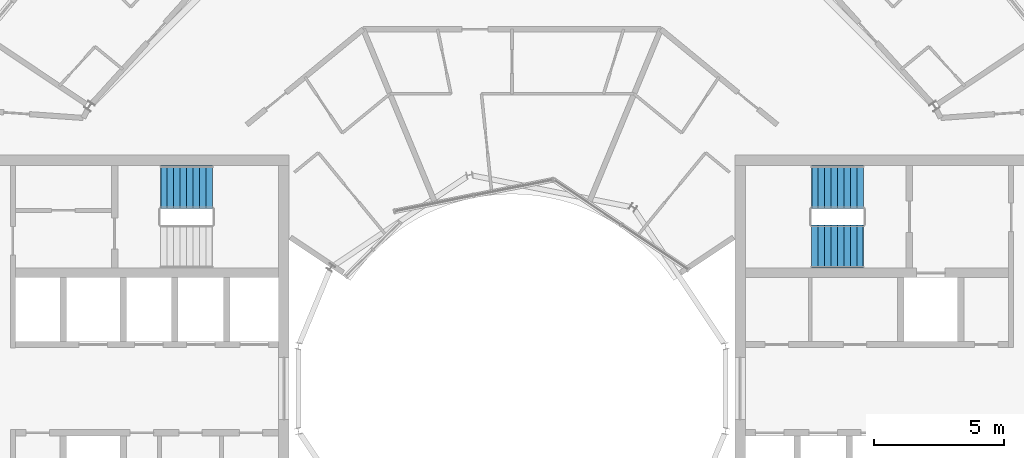
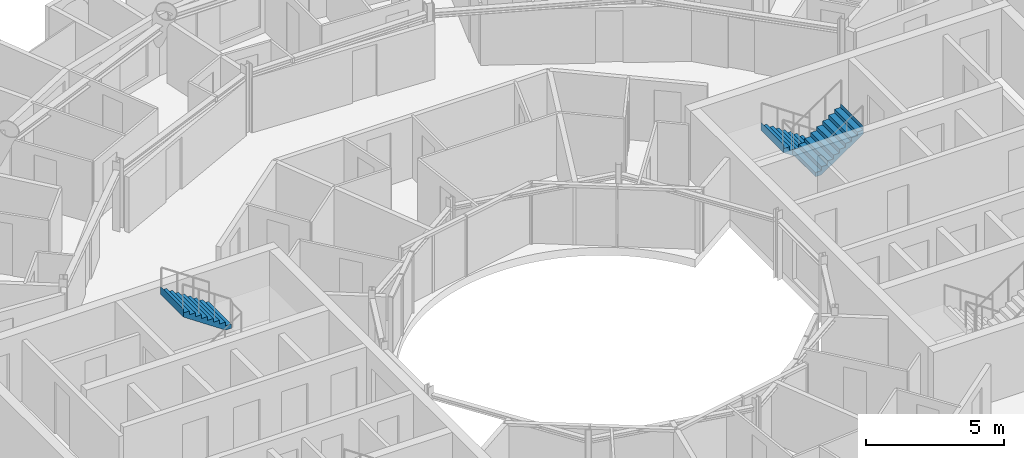
# One storey, part 25 of 27: 3 stair flights, 2 elements without a shape of their own.
"""IFC4 building model written with IfcOpenShell, lengths in metres."""

from ifc_helpers import new_model, si_unit, direction, frame, origin, place, context, subcontext, project, spatial, triangles, material, type_object, element, aggregate, save


model = new_model("IFC4")

# Units and contexts
model_context = context("Model", 3, precision=1e-05, world=origin(), true_north=direction((0.0, 1.0)))
body_context = subcontext(model_context, "Body", "Model", "MODEL_VIEW")
ifc_project = project(units=[si_unit("LENGTHUNIT", "METRE"), si_unit("AREAUNIT", "SQUARE_METRE"), si_unit("VOLUMEUNIT", "CUBIC_METRE"), si_unit("PLANEANGLEUNIT", "RADIAN"), si_unit("MASSUNIT", "GRAM", prefix="KILO")], contexts=[model_context])

# Site, building, storey
site_placement = place(None, origin())
site = spatial("IfcSite", under=ifc_project, at=site_placement, CompositionType="ELEMENT")
building_placement = place(site_placement, origin())
building = spatial("IfcBuilding", under=site, at=building_placement, Name="Maasbend Ring Residences", CompositionType="ELEMENT")
storey_placement = place(building_placement, frame((0.0, 0.0, 243.199951171875)))
storey = spatial("IfcBuildingStorey", under=building, at=storey_placement, Name="L70", CompositionType="ELEMENT", Elevation=243.199951171875)

# Stair, stair flights
ifc_material_1 = material(Name="Concrete C40/50", Category="concrete")
stair_type = type_object("IfcStairType", Name="CORE STAIR 18 RISERS", PredefinedType="HALF_TURN_STAIR", material=ifc_material_1)
stair_1_placement = place(storey_placement, origin())
stair_1 = element("IfcStair", 1, at=stair_1_placement, inside=storey, type_object=stair_type, Name="L70 Exit stair ST-E1", PredefinedType="HALF_TURN_STAIR")
ifc_material_2 = material(Name="Concrete C40/50", Category="concrete")
stair_flight_type = type_object("IfcStairFlightType", Name="CORE STAIR FLIGHT 1650", PredefinedType="STRAIGHT", material=ifc_material_2)
stair_flight_1_placement = place(storey_placement, frame((13.550048828125, 7.77490234375, 0.0), z_axis=(0.0, 0.0, 1.0), x_axis=(-1.0, 0.0, 0.0)))
stair_flight_1 = element("IfcStairFlight", 2, at=stair_flight_1_placement, type_object=stair_flight_type, Name="ST-E1 flight 1", NumberOfRisers=9, NumberOfTreads=8, PredefinedType="STRAIGHT", RiserHeight=0.169444444, TreadLength=0.25, context=body_context, shape_type="Tessellation", body=[
    triangles([(0.24072265625, 0.824951171875, -0.02001953125), (2.0029296875, 0.824951171875, 1.174560546875), (2.0029296875, 0.824951171875, 1.52490234375), (1.989990234375, 0.824951171875, 1.35546875), (1.75, 0.824951171875, 1.35546875), (1.75, 0.824951171875, 1.18603515625), (1.5, 0.824951171875, 1.18603515625), (1.5, 0.824951171875, 1.0166015625), (1.25, 0.824951171875, 1.0166015625), (1.25, 0.824951171875, 0.84716796875), (1.0, 0.824951171875, 0.84716796875), (1.0, 0.824951171875, 0.677734375), (0.75, 0.824951171875, 0.677734375), (0.75, 0.824951171875, 0.50830078125), (0.5, 0.824951171875, 0.50830078125), (0.5, 0.824951171875, 0.3388671875), (0.25, 0.824951171875, 0.3388671875), (0.25, 0.824951171875, 0.16943359375), (0.0, 0.824951171875, 0.16943359375), (0.0, 0.824951171875, 0.0), (-0.0029296875, 0.824951171875, 0.0), (-0.0029296875, 0.824951171875, -0.02001953125), (0.24072265625, 0.27490234375, -0.02001953125), (2.0029296875, 0.27490234375, 1.174560546875), (2.0029296875, 0.27490234375, 1.52490234375), (1.989990234375, 0.27490234375, 1.35546875), (1.75, 0.27490234375, 1.35546875), (1.75, 0.27490234375, 1.18603515625), (1.5, 0.27490234375, 1.18603515625), (1.5, 0.27490234375, 1.0166015625), (1.25, 0.27490234375, 1.0166015625), (1.25, 0.27490234375, 0.84716796875), (1.0, 0.27490234375, 0.84716796875), (1.0, 0.27490234375, 0.677734375), (0.75, 0.27490234375, 0.677734375), (0.75, 0.27490234375, 0.50830078125), (0.5, 0.27490234375, 0.50830078125), (0.5, 0.27490234375, 0.3388671875), (0.25, 0.27490234375, 0.3388671875), (0.25, 0.27490234375, 0.16943359375), (0.0, 0.27490234375, 0.16943359375), (0.0, 0.27490234375, 0.0), (-0.0029296875, 0.27490234375, 0.0), (-0.0029296875, 0.27490234375, -0.02001953125), (0.24072265625, -0.27490234375, -0.02001953125), (2.0029296875, -0.27490234375, 1.174560546875), (2.0029296875, -0.27490234375, 1.52490234375), (1.989990234375, -0.27490234375, 1.35546875), (1.75, -0.27490234375, 1.35546875), (1.75, -0.27490234375, 1.18603515625), (1.5, -0.27490234375, 1.18603515625), (1.5, -0.27490234375, 1.0166015625), (1.25, -0.27490234375, 1.0166015625), (1.25, -0.27490234375, 0.84716796875), (1.0, -0.27490234375, 0.84716796875), (1.0, -0.27490234375, 0.677734375), (0.75, -0.27490234375, 0.677734375), (0.75, -0.27490234375, 0.50830078125), (0.5, -0.27490234375, 0.50830078125), (0.5, -0.27490234375, 0.3388671875), (0.25, -0.27490234375, 0.3388671875), (0.25, -0.27490234375, 0.16943359375), (0.0, -0.27490234375, 0.16943359375), (0.0, -0.27490234375, 0.0), (-0.0029296875, -0.27490234375, 0.0), (-0.0029296875, -0.27490234375, -0.02001953125), (0.24072265625, -0.824951171875, -0.02001953125), (2.0029296875, -0.824951171875, 1.174560546875), (2.0029296875, -0.824951171875, 1.52490234375), (1.989990234375, -0.824951171875, 1.35546875), (1.75, -0.824951171875, 1.35546875), (1.75, -0.824951171875, 1.18603515625), (1.5, -0.824951171875, 1.18603515625), (1.5, -0.824951171875, 1.0166015625), (1.25, -0.824951171875, 1.0166015625), (1.25, -0.824951171875, 0.84716796875), (1.0, -0.824951171875, 0.84716796875), (1.0, -0.824951171875, 0.677734375), (0.75, -0.824951171875, 0.677734375), (0.75, -0.824951171875, 0.50830078125), (0.5, -0.824951171875, 0.50830078125), (0.5, -0.824951171875, 0.3388671875), (0.25, -0.824951171875, 0.3388671875), (0.25, -0.824951171875, 0.16943359375), (0.0, -0.824951171875, 0.16943359375), (0.0, -0.824951171875, 0.0), (-0.0029296875, -0.824951171875, 0.0), (-0.0029296875, -0.824951171875, -0.02001953125)], [[1, 2, 24], [1, 24, 23], [23, 24, 46], [23, 46, 45], [45, 46, 68], [45, 68, 67], [2, 3, 25], [2, 25, 24], [24, 25, 47], [24, 47, 46], [46, 47, 69], [46, 69, 68], [3, 4, 26], [3, 26, 25], [25, 26, 48], [25, 48, 47], [47, 48, 70], [47, 70, 69], [4, 5, 27], [4, 27, 26], [26, 27, 49], [26, 49, 48], [48, 49, 71], [48, 71, 70], [5, 6, 28], [5, 28, 27], [27, 28, 50], [27, 50, 49], [49, 50, 72], [49, 72, 71], [6, 7, 29], [6, 29, 28], [28, 29, 51], [28, 51, 50], [50, 51, 73], [50, 73, 72], [7, 8, 30], [7, 30, 29], [29, 30, 52], [29, 52, 51], [51, 52, 74], [51, 74, 73], [8, 9, 31], [8, 31, 30], [30, 31, 53], [30, 53, 52], [52, 53, 75], [52, 75, 74], [9, 10, 32], [9, 32, 31], [31, 32, 54], [31, 54, 53], [53, 54, 76], [53, 76, 75], [10, 11, 33], [10, 33, 32], [32, 33, 55], [32, 55, 54], [54, 55, 77], [54, 77, 76], [11, 12, 34], [11, 34, 33], [33, 34, 56], [33, 56, 55], [55, 56, 78], [55, 78, 77], [12, 13, 35], [12, 35, 34], [34, 35, 57], [34, 57, 56], [56, 57, 79], [56, 79, 78], [13, 14, 36], [13, 36, 35], [35, 36, 58], [35, 58, 57], [57, 58, 80], [57, 80, 79], [14, 15, 37], [14, 37, 36], [36, 37, 59], [36, 59, 58], [58, 59, 81], [58, 81, 80], [15, 16, 38], [15, 38, 37], [37, 38, 60], [37, 60, 59], [59, 60, 82], [59, 82, 81], [16, 17, 39], [16, 39, 38], [38, 39, 61], [38, 61, 60], [60, 61, 83], [60, 83, 82], [17, 18, 40], [17, 40, 39], [39, 40, 62], [39, 62, 61], [61, 62, 84], [61, 84, 83], [18, 19, 41], [18, 41, 40], [40, 41, 63], [40, 63, 62], [62, 63, 85], [62, 85, 84], [19, 20, 42], [19, 42, 41], [41, 42, 64], [41, 64, 63], [63, 64, 86], [63, 86, 85], [20, 21, 43], [20, 43, 42], [42, 43, 65], [42, 65, 64], [64, 65, 87], [64, 87, 86], [21, 22, 44], [21, 44, 43], [43, 44, 66], [43, 66, 65], [65, 66, 88], [65, 88, 87], [22, 1, 23], [22, 23, 44], [44, 23, 45], [44, 45, 66], [66, 45, 67], [66, 67, 88], [22, 2, 1], [2, 4, 3], [2, 5, 4], [2, 6, 5], [22, 6, 2], [6, 8, 7], [22, 8, 6], [8, 10, 9], [22, 10, 8], [10, 12, 11], [22, 12, 10], [12, 14, 13], [22, 14, 12], [14, 16, 15], [22, 16, 14], [16, 18, 17], [22, 18, 16], [18, 20, 19], [22, 20, 18], [20, 22, 21], [88, 67, 68], [68, 69, 70], [68, 70, 71], [68, 71, 72], [88, 68, 72], [72, 73, 74], [88, 72, 74], [74, 75, 76], [88, 74, 76], [76, 77, 78], [88, 76, 78], [78, 79, 80], [88, 78, 80], [80, 81, 82], [88, 80, 82], [82, 83, 84], [88, 82, 84], [84, 85, 86], [88, 84, 86], [86, 87, 88]], closed=True),
])
stair_flight_2_placement = place(storey_placement, frame((11.550048828125, 5.47509765625, 1.525146484375), z_axis=(0.0, 0.0, 1.0), x_axis=(1.0, 0.0, 0.0)))
stair_flight_2 = element("IfcStairFlight", 3, at=stair_flight_2_placement, type_object=stair_flight_type, Name="ST-E1 flight 2", NumberOfRisers=9, NumberOfTreads=8, PredefinedType="STRAIGHT", RiserHeight=0.169444444, TreadLength=0.25, context=body_context, shape_type="Tessellation", body=[
    triangles([(0.24072265625, 0.824951171875, -0.02001953125), (2.0029296875, 0.824951171875, 1.174560546875), (2.0029296875, 0.824951171875, 1.52490234375), (1.989990234375, 0.824951171875, 1.35546875), (1.75, 0.824951171875, 1.35546875), (1.75, 0.824951171875, 1.18603515625), (1.5, 0.824951171875, 1.18603515625), (1.5, 0.824951171875, 1.0166015625), (1.25, 0.824951171875, 1.0166015625), (1.25, 0.824951171875, 0.84716796875), (1.0, 0.824951171875, 0.84716796875), (1.0, 0.824951171875, 0.677734375), (0.75, 0.824951171875, 0.677734375), (0.75, 0.824951171875, 0.50830078125), (0.5, 0.824951171875, 0.50830078125), (0.5, 0.824951171875, 0.3388671875), (0.25, 0.824951171875, 0.3388671875), (0.25, 0.824951171875, 0.16943359375), (0.0, 0.824951171875, 0.16943359375), (0.0, 0.824951171875, 0.0), (-0.0029296875, 0.824951171875, 0.0), (-0.0029296875, 0.824951171875, -0.02001953125), (0.24072265625, 0.27490234375, -0.02001953125), (2.0029296875, 0.27490234375, 1.174560546875), (2.0029296875, 0.27490234375, 1.52490234375), (1.989990234375, 0.27490234375, 1.35546875), (1.75, 0.27490234375, 1.35546875), (1.75, 0.27490234375, 1.18603515625), (1.5, 0.27490234375, 1.18603515625), (1.5, 0.27490234375, 1.0166015625), (1.25, 0.27490234375, 1.0166015625), (1.25, 0.27490234375, 0.84716796875), (1.0, 0.27490234375, 0.84716796875), (1.0, 0.27490234375, 0.677734375), (0.75, 0.27490234375, 0.677734375), (0.75, 0.27490234375, 0.50830078125), (0.5, 0.27490234375, 0.50830078125), (0.5, 0.27490234375, 0.3388671875), (0.25, 0.27490234375, 0.3388671875), (0.25, 0.27490234375, 0.16943359375), (0.0, 0.27490234375, 0.16943359375), (0.0, 0.27490234375, 0.0), (-0.0029296875, 0.27490234375, 0.0), (-0.0029296875, 0.27490234375, -0.02001953125), (0.24072265625, -0.27490234375, -0.02001953125), (2.0029296875, -0.27490234375, 1.174560546875), (2.0029296875, -0.27490234375, 1.52490234375), (1.989990234375, -0.27490234375, 1.35546875), (1.75, -0.27490234375, 1.35546875), (1.75, -0.27490234375, 1.18603515625), (1.5, -0.27490234375, 1.18603515625), (1.5, -0.27490234375, 1.0166015625), (1.25, -0.27490234375, 1.0166015625), (1.25, -0.27490234375, 0.84716796875), (1.0, -0.27490234375, 0.84716796875), (1.0, -0.27490234375, 0.677734375), (0.75, -0.27490234375, 0.677734375), (0.75, -0.27490234375, 0.50830078125), (0.5, -0.27490234375, 0.50830078125), (0.5, -0.27490234375, 0.3388671875), (0.25, -0.27490234375, 0.3388671875), (0.25, -0.27490234375, 0.16943359375), (0.0, -0.27490234375, 0.16943359375), (0.0, -0.27490234375, 0.0), (-0.0029296875, -0.27490234375, 0.0), (-0.0029296875, -0.27490234375, -0.02001953125), (0.24072265625, -0.824951171875, -0.02001953125), (2.0029296875, -0.824951171875, 1.174560546875), (2.0029296875, -0.824951171875, 1.52490234375), (1.989990234375, -0.824951171875, 1.35546875), (1.75, -0.824951171875, 1.35546875), (1.75, -0.824951171875, 1.18603515625), (1.5, -0.824951171875, 1.18603515625), (1.5, -0.824951171875, 1.0166015625), (1.25, -0.824951171875, 1.0166015625), (1.25, -0.824951171875, 0.84716796875), (1.0, -0.824951171875, 0.84716796875), (1.0, -0.824951171875, 0.677734375), (0.75, -0.824951171875, 0.677734375), (0.75, -0.824951171875, 0.50830078125), (0.5, -0.824951171875, 0.50830078125), (0.5, -0.824951171875, 0.3388671875), (0.25, -0.824951171875, 0.3388671875), (0.25, -0.824951171875, 0.16943359375), (0.0, -0.824951171875, 0.16943359375), (0.0, -0.824951171875, 0.0), (-0.0029296875, -0.824951171875, 0.0), (-0.0029296875, -0.824951171875, -0.02001953125)], [[1, 2, 24], [1, 24, 23], [23, 24, 46], [23, 46, 45], [45, 46, 68], [45, 68, 67], [2, 3, 25], [2, 25, 24], [24, 25, 47], [24, 47, 46], [46, 47, 69], [46, 69, 68], [3, 4, 26], [3, 26, 25], [25, 26, 48], [25, 48, 47], [47, 48, 70], [47, 70, 69], [4, 5, 27], [4, 27, 26], [26, 27, 49], [26, 49, 48], [48, 49, 71], [48, 71, 70], [5, 6, 28], [5, 28, 27], [27, 28, 50], [27, 50, 49], [49, 50, 72], [49, 72, 71], [6, 7, 29], [6, 29, 28], [28, 29, 51], [28, 51, 50], [50, 51, 73], [50, 73, 72], [7, 8, 30], [7, 30, 29], [29, 30, 52], [29, 52, 51], [51, 52, 74], [51, 74, 73], [8, 9, 31], [8, 31, 30], [30, 31, 53], [30, 53, 52], [52, 53, 75], [52, 75, 74], [9, 10, 32], [9, 32, 31], [31, 32, 54], [31, 54, 53], [53, 54, 76], [53, 76, 75], [10, 11, 33], [10, 33, 32], [32, 33, 55], [32, 55, 54], [54, 55, 77], [54, 77, 76], [11, 12, 34], [11, 34, 33], [33, 34, 56], [33, 56, 55], [55, 56, 78], [55, 78, 77], [12, 13, 35], [12, 35, 34], [34, 35, 57], [34, 57, 56], [56, 57, 79], [56, 79, 78], [13, 14, 36], [13, 36, 35], [35, 36, 58], [35, 58, 57], [57, 58, 80], [57, 80, 79], [14, 15, 37], [14, 37, 36], [36, 37, 59], [36, 59, 58], [58, 59, 81], [58, 81, 80], [15, 16, 38], [15, 38, 37], [37, 38, 60], [37, 60, 59], [59, 60, 82], [59, 82, 81], [16, 17, 39], [16, 39, 38], [38, 39, 61], [38, 61, 60], [60, 61, 83], [60, 83, 82], [17, 18, 40], [17, 40, 39], [39, 40, 62], [39, 62, 61], [61, 62, 84], [61, 84, 83], [18, 19, 41], [18, 41, 40], [40, 41, 63], [40, 63, 62], [62, 63, 85], [62, 85, 84], [19, 20, 42], [19, 42, 41], [41, 42, 64], [41, 64, 63], [63, 64, 86], [63, 86, 85], [20, 21, 43], [20, 43, 42], [42, 43, 65], [42, 65, 64], [64, 65, 87], [64, 87, 86], [21, 22, 44], [21, 44, 43], [43, 44, 66], [43, 66, 65], [65, 66, 88], [65, 88, 87], [22, 1, 23], [22, 23, 44], [44, 23, 45], [44, 45, 66], [66, 45, 67], [66, 67, 88], [22, 2, 1], [2, 4, 3], [2, 5, 4], [2, 6, 5], [22, 6, 2], [6, 8, 7], [22, 8, 6], [8, 10, 9], [22, 10, 8], [10, 12, 11], [22, 12, 10], [12, 14, 13], [22, 14, 12], [14, 16, 15], [22, 16, 14], [16, 18, 17], [22, 18, 16], [18, 20, 19], [22, 20, 18], [20, 22, 21], [88, 67, 68], [68, 69, 70], [68, 70, 71], [68, 71, 72], [88, 68, 72], [72, 73, 74], [88, 72, 74], [74, 75, 76], [88, 74, 76], [76, 77, 78], [88, 76, 78], [78, 79, 80], [88, 78, 80], [80, 81, 82], [88, 80, 82], [82, 83, 84], [88, 82, 84], [84, 85, 86], [88, 84, 86], [86, 87, 88]], closed=True),
])
aggregate(stair_1, [stair_flight_1, stair_flight_2])

# Stair, stair flight
stair_2_placement = place(storey_placement, origin())
stair_2 = element("IfcStair", 4, at=stair_2_placement, inside=storey, type_object=stair_type, Name="L70 Exit stair ST-W2", PredefinedType="HALF_TURN_STAIR")
stair_flight_3_placement = place(storey_placement, frame((-11.550048828125, 7.77490234375, 1.525146484375), z_axis=(0.0, 0.0, 1.0), x_axis=(-1.0, 0.0, 0.0)))
stair_flight_3 = element("IfcStairFlight", 5, at=stair_flight_3_placement, type_object=stair_flight_type, Name="ST-W2 flight 2", NumberOfRisers=9, NumberOfTreads=8, PredefinedType="STRAIGHT", RiserHeight=0.169444444, TreadLength=0.25, context=body_context, shape_type="Tessellation", body=[
    triangles([(0.24072265625, 0.824951171875, -0.02001953125), (2.0029296875, 0.824951171875, 1.174560546875), (2.0029296875, 0.824951171875, 1.52490234375), (1.989990234375, 0.824951171875, 1.35546875), (1.75, 0.824951171875, 1.35546875), (1.75, 0.824951171875, 1.18603515625), (1.5, 0.824951171875, 1.18603515625), (1.5, 0.824951171875, 1.0166015625), (1.25, 0.824951171875, 1.0166015625), (1.25, 0.824951171875, 0.84716796875), (1.0, 0.824951171875, 0.84716796875), (1.0, 0.824951171875, 0.677734375), (0.75, 0.824951171875, 0.677734375), (0.75, 0.824951171875, 0.50830078125), (0.5, 0.824951171875, 0.50830078125), (0.5, 0.824951171875, 0.3388671875), (0.25, 0.824951171875, 0.3388671875), (0.25, 0.824951171875, 0.16943359375), (0.0, 0.824951171875, 0.16943359375), (0.0, 0.824951171875, 0.0), (-0.0029296875, 0.824951171875, 0.0), (-0.0029296875, 0.824951171875, -0.02001953125), (0.24072265625, 0.27490234375, -0.02001953125), (2.0029296875, 0.27490234375, 1.174560546875), (2.0029296875, 0.27490234375, 1.52490234375), (1.989990234375, 0.27490234375, 1.35546875), (1.75, 0.27490234375, 1.35546875), (1.75, 0.27490234375, 1.18603515625), (1.5, 0.27490234375, 1.18603515625), (1.5, 0.27490234375, 1.0166015625), (1.25, 0.27490234375, 1.0166015625), (1.25, 0.27490234375, 0.84716796875), (1.0, 0.27490234375, 0.84716796875), (1.0, 0.27490234375, 0.677734375), (0.75, 0.27490234375, 0.677734375), (0.75, 0.27490234375, 0.50830078125), (0.5, 0.27490234375, 0.50830078125), (0.5, 0.27490234375, 0.3388671875), (0.25, 0.27490234375, 0.3388671875), (0.25, 0.27490234375, 0.16943359375), (0.0, 0.27490234375, 0.16943359375), (0.0, 0.27490234375, 0.0), (-0.0029296875, 0.27490234375, 0.0), (-0.0029296875, 0.27490234375, -0.02001953125), (0.24072265625, -0.27490234375, -0.02001953125), (2.0029296875, -0.27490234375, 1.174560546875), (2.0029296875, -0.27490234375, 1.52490234375), (1.989990234375, -0.27490234375, 1.35546875), (1.75, -0.27490234375, 1.35546875), (1.75, -0.27490234375, 1.18603515625), (1.5, -0.27490234375, 1.18603515625), (1.5, -0.27490234375, 1.0166015625), (1.25, -0.27490234375, 1.0166015625), (1.25, -0.27490234375, 0.84716796875), (1.0, -0.27490234375, 0.84716796875), (1.0, -0.27490234375, 0.677734375), (0.75, -0.27490234375, 0.677734375), (0.75, -0.27490234375, 0.50830078125), (0.5, -0.27490234375, 0.50830078125), (0.5, -0.27490234375, 0.3388671875), (0.25, -0.27490234375, 0.3388671875), (0.25, -0.27490234375, 0.16943359375), (0.0, -0.27490234375, 0.16943359375), (0.0, -0.27490234375, 0.0), (-0.0029296875, -0.27490234375, 0.0), (-0.0029296875, -0.27490234375, -0.02001953125), (0.24072265625, -0.824951171875, -0.02001953125), (2.0029296875, -0.824951171875, 1.174560546875), (2.0029296875, -0.824951171875, 1.52490234375), (1.989990234375, -0.824951171875, 1.35546875), (1.75, -0.824951171875, 1.35546875), (1.75, -0.824951171875, 1.18603515625), (1.5, -0.824951171875, 1.18603515625), (1.5, -0.824951171875, 1.0166015625), (1.25, -0.824951171875, 1.0166015625), (1.25, -0.824951171875, 0.84716796875), (1.0, -0.824951171875, 0.84716796875), (1.0, -0.824951171875, 0.677734375), (0.75, -0.824951171875, 0.677734375), (0.75, -0.824951171875, 0.50830078125), (0.5, -0.824951171875, 0.50830078125), (0.5, -0.824951171875, 0.3388671875), (0.25, -0.824951171875, 0.3388671875), (0.25, -0.824951171875, 0.16943359375), (0.0, -0.824951171875, 0.16943359375), (0.0, -0.824951171875, 0.0), (-0.0029296875, -0.824951171875, 0.0), (-0.0029296875, -0.824951171875, -0.02001953125)], [[1, 2, 24], [1, 24, 23], [23, 24, 46], [23, 46, 45], [45, 46, 68], [45, 68, 67], [2, 3, 25], [2, 25, 24], [24, 25, 47], [24, 47, 46], [46, 47, 69], [46, 69, 68], [3, 4, 26], [3, 26, 25], [25, 26, 48], [25, 48, 47], [47, 48, 70], [47, 70, 69], [4, 5, 27], [4, 27, 26], [26, 27, 49], [26, 49, 48], [48, 49, 71], [48, 71, 70], [5, 6, 28], [5, 28, 27], [27, 28, 50], [27, 50, 49], [49, 50, 72], [49, 72, 71], [6, 7, 29], [6, 29, 28], [28, 29, 51], [28, 51, 50], [50, 51, 73], [50, 73, 72], [7, 8, 30], [7, 30, 29], [29, 30, 52], [29, 52, 51], [51, 52, 74], [51, 74, 73], [8, 9, 31], [8, 31, 30], [30, 31, 53], [30, 53, 52], [52, 53, 75], [52, 75, 74], [9, 10, 32], [9, 32, 31], [31, 32, 54], [31, 54, 53], [53, 54, 76], [53, 76, 75], [10, 11, 33], [10, 33, 32], [32, 33, 55], [32, 55, 54], [54, 55, 77], [54, 77, 76], [11, 12, 34], [11, 34, 33], [33, 34, 56], [33, 56, 55], [55, 56, 78], [55, 78, 77], [12, 13, 35], [12, 35, 34], [34, 35, 57], [34, 57, 56], [56, 57, 79], [56, 79, 78], [13, 14, 36], [13, 36, 35], [35, 36, 58], [35, 58, 57], [57, 58, 80], [57, 80, 79], [14, 15, 37], [14, 37, 36], [36, 37, 59], [36, 59, 58], [58, 59, 81], [58, 81, 80], [15, 16, 38], [15, 38, 37], [37, 38, 60], [37, 60, 59], [59, 60, 82], [59, 82, 81], [16, 17, 39], [16, 39, 38], [38, 39, 61], [38, 61, 60], [60, 61, 83], [60, 83, 82], [17, 18, 40], [17, 40, 39], [39, 40, 62], [39, 62, 61], [61, 62, 84], [61, 84, 83], [18, 19, 41], [18, 41, 40], [40, 41, 63], [40, 63, 62], [62, 63, 85], [62, 85, 84], [19, 20, 42], [19, 42, 41], [41, 42, 64], [41, 64, 63], [63, 64, 86], [63, 86, 85], [20, 21, 43], [20, 43, 42], [42, 43, 65], [42, 65, 64], [64, 65, 87], [64, 87, 86], [21, 22, 44], [21, 44, 43], [43, 44, 66], [43, 66, 65], [65, 66, 88], [65, 88, 87], [22, 1, 23], [22, 23, 44], [44, 23, 45], [44, 45, 66], [66, 45, 67], [66, 67, 88], [22, 2, 1], [2, 4, 3], [2, 5, 4], [2, 6, 5], [22, 6, 2], [6, 8, 7], [22, 8, 6], [8, 10, 9], [22, 10, 8], [10, 12, 11], [22, 12, 10], [12, 14, 13], [22, 14, 12], [14, 16, 15], [22, 16, 14], [16, 18, 17], [22, 18, 16], [18, 20, 19], [22, 20, 18], [20, 22, 21], [88, 67, 68], [68, 69, 70], [68, 70, 71], [68, 71, 72], [88, 68, 72], [72, 73, 74], [88, 72, 74], [74, 75, 76], [88, 74, 76], [76, 77, 78], [88, 76, 78], [78, 79, 80], [88, 78, 80], [80, 81, 82], [88, 80, 82], [82, 83, 84], [88, 82, 84], [84, 85, 86], [88, 84, 86], [86, 87, 88]], closed=True),
])
aggregate(stair_2, [stair_flight_3])

save(model, "model.ifc")
